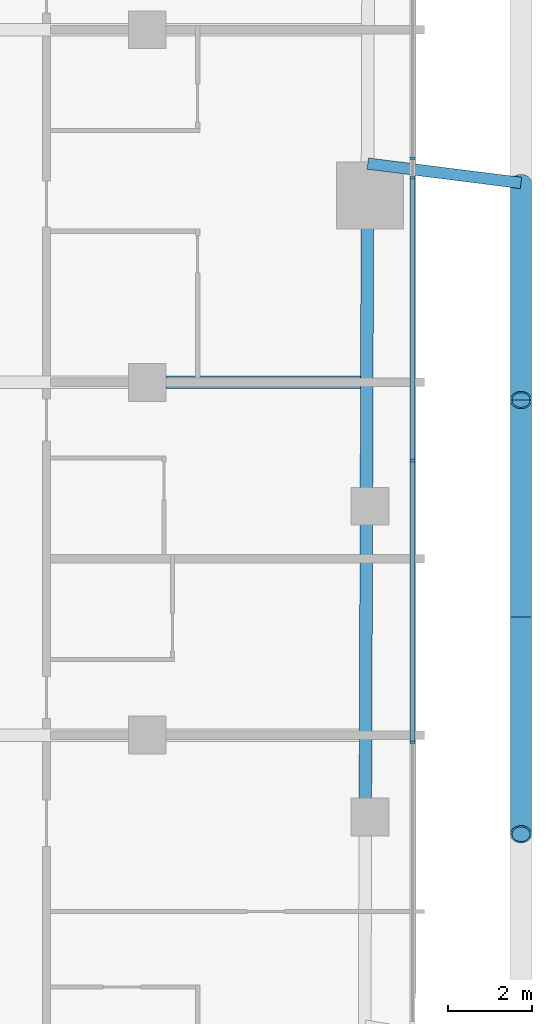
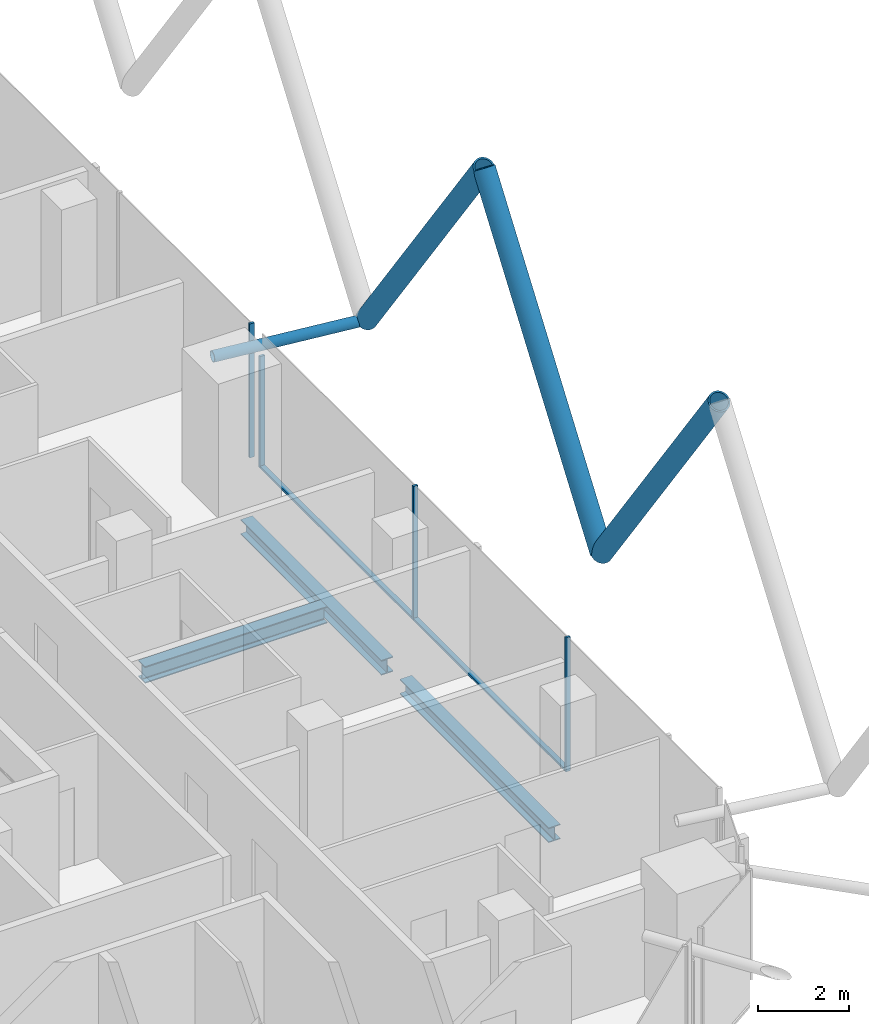
# One storey, part 8 of 36: 10 members, 3 beams, 3 elements without a shape of their own.
"""IFC4 building model written with IfcOpenShell, lengths in metres."""

from ifc_helpers import new_model, si_unit, direction, frame, origin, origin_2d, place, context, subcontext, project, spatial, rectangle, hollow_circle, i_section, extrude, material, layer, layer_set, material_profile, profile_set, type_object, element, aggregate, save


model = new_model("IFC4")

# Units and contexts
model_context = context("Model", 3, precision=1e-05, world=origin(), true_north=direction((0.0, 1.0)))
body_context = subcontext(model_context, "Body", "Model", "MODEL_VIEW")
ifc_project = project(units=[si_unit("LENGTHUNIT", "METRE"), si_unit("AREAUNIT", "SQUARE_METRE"), si_unit("VOLUMEUNIT", "CUBIC_METRE"), si_unit("PLANEANGLEUNIT", "RADIAN"), si_unit("MASSUNIT", "GRAM", prefix="KILO")], contexts=[model_context])

# Site, building, storey
site_placement = place(None, origin())
site = spatial("IfcSite", under=ifc_project, at=site_placement, CompositionType="ELEMENT")
building_placement = place(site_placement, origin())
building = spatial("IfcBuilding", under=site, at=building_placement, Name="Marenta Gate Hotel Tower", CompositionType="ELEMENT")
storey_placement = place(building_placement, frame((0.0, 0.0, 130.10009765625)))
storey = spatial("IfcBuildingStorey", under=building, at=storey_placement, Name="L29", CompositionType="ELEMENT", Elevation=130.10009765625)

# Members
ifc_material_1 = material(Name="Steel S355J2W", Category="steel")
ifc_material_profile_1 = material_profile(ifc_material_1, hollow_circle(Radius=0.25390625, WallThickness=0.0400390625, at=origin_2d()), Name="CHS 508x40")
ifc_profile_set_1 = profile_set([ifc_material_profile_1], Name="Steel S355J2W")
member_type_1 = type_object("IfcMemberType", Name="Diagrid diagonal Z2 CHS 508x40", PredefinedType="BRACE", material=ifc_profile_set_1)
member_1_placement = place(storey_placement, frame((29.89990234375, 4.75, 3.139892578125), z_axis=(0.0, -0.583279014058, 0.812271870595), x_axis=(1.0, 0.0, 0.0)))
element("IfcMember", 1, at=member_1_placement, inside=storey, type_object=member_type_1, Name="L29-DG-6", PredefinedType="BRACE", context=body_context, shape_type="SweptSolid", body=[
    extrude(hollow_circle(Radius=0.25390625, WallThickness=0.0400390625, at=origin_2d()), origin(), (0.0, 0.0, 1.0), 8.864013671875),
])
for number, where, z_axis, x_axis, name in (
    (2, (29.89990234375, -5.590087890625, 3.139892578125), (0.0, 0.583260841117, 0.812284919975), (-1.0, 0.0, 0.0), "L29-DG-7"),
    (3, (29.89990234375, -5.590087890625, 3.139892578125), (0.0, -0.583260841117, 0.812284919975), (1.0, 0.0, 0.0), "L29-DG-8"),
):
    element("IfcMember", number, at=place(storey_placement, frame(where, z_axis=z_axis, x_axis=x_axis)), inside=storey, type_object=member_type_1, Name=name, PredefinedType="BRACE", context=body_context, shape_type="SweptSolid", body=[
        extrude(hollow_circle(Radius=0.25390625, WallThickness=0.0400390625, at=origin_2d()), origin(), (0.0, 0.0, 1.0), 8.86376953125),
    ])

# Beams
ifc_material_2 = material(Name="Steel S355", Category="steel")
ifc_material_profile_2 = material_profile(ifc_material_2, i_section(OverallWidth=0.300048828125, OverallDepth=0.39990234375, WebThickness=0.013427734375, FlangeThickness=0.02392578125, FilletRadius=0.027099609375, at=origin_2d()), Name="HEB 400")
ifc_profile_set_2 = profile_set([ifc_material_profile_2], Name="Steel S355")
beam_type_1 = type_object("IfcBeamType", Name="Edge beam HEB 400", PredefinedType="SPANDREL", material=ifc_profile_set_2)
beam_1_placement = place(storey_placement, frame((26.2392578125, 3.68994140625, -0.460205078125), z_axis=(-0.003330441525, -0.999994454064, 0.0), x_axis=(0.999994454064, -0.003330441525, 0.0)))
element("IfcBeam", 4, at=beam_1_placement, inside=storey, type_object=beam_type_1, Name="L29-EB-25", PredefinedType="SPANDREL", context=body_context, shape_type="SweptSolid", body=[
    extrude(i_section(OverallWidth=0.300048828125, OverallDepth=0.39990234375, WebThickness=0.013427734375, FlangeThickness=0.02392578125, FilletRadius=0.027099609375, at=origin_2d()), origin(), (0.0, 0.0, 1.0), 6.23095703125),
])
beam_2_placement = place(storey_placement, frame((26.2158203125, -3.36083984375, -0.460205078125), z_axis=(-0.00333875569, -0.99999442634, 0.0), x_axis=(0.99999442634, -0.00333875569, 0.0)))
element("IfcBeam", 5, at=beam_2_placement, inside=storey, type_object=beam_type_1, Name="L29-EB-26", PredefinedType="SPANDREL", context=body_context, shape_type="SweptSolid", body=[
    extrude(i_section(OverallWidth=0.300048828125, OverallDepth=0.39990234375, WebThickness=0.013427734375, FlangeThickness=0.02392578125, FilletRadius=0.027099609375, at=origin_2d()), origin(), (0.0, 0.0, 1.0), 6.5810546875),
])

# Member
ifc_material_3 = material(Name="Steel S355J2W", Category="steel")
ifc_material_profile_3 = material_profile(ifc_material_3, hollow_circle(Radius=0.136474609375, WallThickness=0.012451171875, at=origin_2d()), Name="CHS 273x12.5")
ifc_profile_set_3 = profile_set([ifc_material_profile_3], Name="Steel S355J2W")
member_type_2 = type_object("IfcMemberType", Name="Floor tie CHS 273x12.5", PredefinedType="STRUT", material=ifc_profile_set_3)
member_2_placement = place(storey_placement, frame((29.89990234375, 4.75, 3.139892578125), z_axis=(-0.992172319979, 0.12487628865, 0.0), x_axis=(-0.12487628865, -0.992172319979, 0.0)))
element("IfcMember", 6, at=member_2_placement, inside=storey, type_object=member_type_2, Name="L29-DR-9", PredefinedType="STRUT", context=body_context, shape_type="SweptSolid", body=[
    extrude(hollow_circle(Radius=0.136474609375, WallThickness=0.012451171875, at=origin_2d()), origin(), (0.0, 0.0, 1.0), 3.677490234375),
])

# Beam
ifc_material_4 = material(Name="Steel S355", Category="steel")
ifc_material_profile_4 = material_profile(ifc_material_4, i_section(OverallWidth=0.300048828125, OverallDepth=0.449951171875, WebThickness=0.013916015625, FlangeThickness=0.02587890625, FilletRadius=0.027099609375, at=origin_2d()), Name="HEB 450")
ifc_profile_set_4 = profile_set([ifc_material_profile_4], Name="Steel S355")
beam_type_2 = type_object("IfcBeamType", Name="Girder HEB 450", PredefinedType="BEAM", material=ifc_profile_set_4)
beam_3_placement = place(storey_placement, frame((21.449951171875, 0.0, -0.485107421875), z_axis=(1.0, 0.0, 0.0), x_axis=(0.0, 1.0, 0.0)))
element("IfcBeam", 7, at=beam_3_placement, inside=storey, type_object=beam_type_2, Name="L29-GD-19", PredefinedType="BEAM", context=body_context, shape_type="SweptSolid", body=[
    extrude(i_section(OverallWidth=0.300048828125, OverallDepth=0.449951171875, WebThickness=0.013916015625, FlangeThickness=0.02587890625, FilletRadius=0.027099609375, at=origin_2d()), origin(), (0.0, 0.0, 1.0), 4.626953125),
])

# Curtain wall, members
ifc_material_5 = material(Name="Tinted insulated glass in bronze anodised frame", Category="glass")
ifc_layer = layer(ifc_material_5, 0.1201171875)
ifc_layer_set = layer_set([ifc_layer], Name="Tinted insulated glass in bronze anodised frame")
curtain_wall_type = type_object("IfcCurtainWallType", Name="Tower unitised curtain wall CW1", PredefinedType="NOTDEFINED", material=ifc_layer_set)
curtain_wall_1_placement = place(storey_placement, origin())
curtain_wall_1 = element("IfcCurtainWall", 8, at=curtain_wall_1_placement, inside=storey, type_object=curtain_wall_type, Name="CW1 run G33", PredefinedType="NOTDEFINED")
ifc_material_6 = material(Name="Bronze anodised aluminium", Category="aluminium")
ifc_material_profile_5 = material_profile(ifc_material_6, rectangle(XDim=0.1201171875, YDim=0.06005859375, at=origin_2d()), Name="Mullion CW1 60x120 bronze anodised aluminium")
ifc_profile_set_5 = profile_set([ifc_material_profile_5], Name="Bronze anodised aluminium")
member_type_3 = type_object("IfcMemberType", Name="Mullion CW1 60x120 bronze anodised aluminium", PredefinedType="MULLION", material=ifc_profile_set_5)
member_3_placement = place(storey_placement, frame((27.31396484375, -8.567626953125, 0.0), z_axis=(0.0, 0.0, 1.0), x_axis=(-1.0, 0.0, 0.0)))
member_3 = element("IfcMember", 9, at=member_3_placement, type_object=member_type_3, Name="CW1 mullion 2", PredefinedType="MULLION", context=body_context, shape_type="SweptSolid", body=[
    extrude(rectangle(XDim=0.1201171875, YDim=0.06005859375, at=origin_2d()), origin(), (0.0, 0.0, 1.0), 3.599853515625),
])
member_4_placement = place(storey_placement, frame((27.31396484375, -1.8603515625, 0.0), z_axis=(0.0, 0.0, 1.0), x_axis=(-1.0, 0.0, 0.0)))
member_4 = element("IfcMember", 10, at=member_4_placement, type_object=member_type_3, Name="CW1 mullion 3", PredefinedType="MULLION", context=body_context, shape_type="SweptSolid", body=[
    extrude(rectangle(XDim=0.1201171875, YDim=0.06005859375, at=origin_2d()), origin(), (0.0, 0.0, 1.0), 3.599853515625),
])

# Curtain wall, member
curtain_wall_2_placement = place(storey_placement, origin())
curtain_wall_2 = element("IfcCurtainWall", 11, at=curtain_wall_2_placement, inside=storey, type_object=curtain_wall_type, Name="CW1 run G34", PredefinedType="NOTDEFINED")
member_5_placement = place(storey_placement, frame((27.31396484375, 4.877197265625, 0.0), z_axis=(0.0, 0.0, 1.0), x_axis=(-1.0, 0.0, 0.0)))
member_5 = element("IfcMember", 12, at=member_5_placement, type_object=member_type_3, Name="CW1 mullion 1", PredefinedType="MULLION", context=body_context, shape_type="SweptSolid", body=[
    extrude(rectangle(XDim=0.1201171875, YDim=0.06005859375, at=origin_2d()), origin(), (0.0, 0.0, 1.0), 3.00048828125),
])
aggregate(curtain_wall_2, [member_5])

curtain_wall_3_placement = place(storey_placement, origin())
curtain_wall_3 = element("IfcCurtainWall", 13, at=curtain_wall_3_placement, inside=storey, type_object=curtain_wall_type, Name="CW1 run G35", PredefinedType="NOTDEFINED")
member_6_placement = place(storey_placement, frame((27.31396484375, 5.333740234375, 0.0), z_axis=(0.0, 0.0, 1.0), x_axis=(-1.0, 0.0, 0.0)))
member_6 = element("IfcMember", 14, at=member_6_placement, type_object=member_type_3, Name="CW1 mullion 1", PredefinedType="MULLION", context=body_context, shape_type="SweptSolid", body=[
    extrude(rectangle(XDim=0.1201171875, YDim=0.06005859375, at=origin_2d()), origin(), (0.0, 0.0, 1.0), 3.599853515625),
])
aggregate(curtain_wall_3, [member_6])

# Member
ifc_material_7 = material(Name="Bronze anodised aluminium", Category="aluminium")
ifc_material_profile_6 = material_profile(ifc_material_7, rectangle(XDim=0.1201171875, YDim=0.06005859375, at=origin_2d()), Name="Transom CW1 60x120 bronze anodised aluminium")
ifc_profile_set_6 = profile_set([ifc_material_profile_6], Name="Bronze anodised aluminium")
member_type_4 = type_object("IfcMemberType", Name="Transom CW1 60x120 bronze anodised aluminium", PredefinedType="USERDEFINED", material=ifc_profile_set_6)
member_7_placement = place(storey_placement, frame((27.31396484375, -8.53759765625, 0.02978515625), z_axis=(0.0, 1.0, 0.0), x_axis=(-1.0, 0.0, 0.0)))
member_7 = element("IfcMember", 15, at=member_7_placement, type_object=member_type_4, Name="CW1 transom 2.1", ObjectType="TRANSOM", PredefinedType="USERDEFINED", context=body_context, shape_type="SweptSolid", body=[
    extrude(rectangle(XDim=0.1201171875, YDim=0.06005859375, at=origin_2d()), origin(), (0.0, 0.0, 1.0), 6.6474609375),
])

member_8_placement = place(storey_placement, frame((27.31396484375, -1.830322265625, 0.02978515625), z_axis=(0.0, 1.0, 0.0), x_axis=(-1.0, 0.0, 0.0)))
member_8 = element("IfcMember", 16, at=member_8_placement, type_object=member_type_4, Name="CW1 transom 3.1", ObjectType="TRANSOM", PredefinedType="USERDEFINED", context=body_context, shape_type="SweptSolid", body=[
    extrude(rectangle(XDim=0.1201171875, YDim=0.06005859375, at=origin_2d()), origin(), (0.0, 0.0, 1.0), 6.677490234375),
])

aggregate(curtain_wall_1, [member_3, member_4, member_7, member_8])

save(model, "model.ifc")
